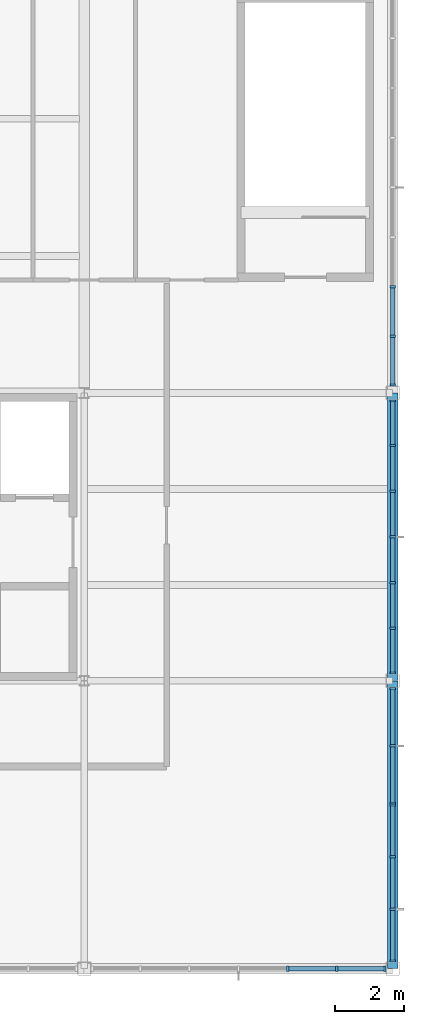
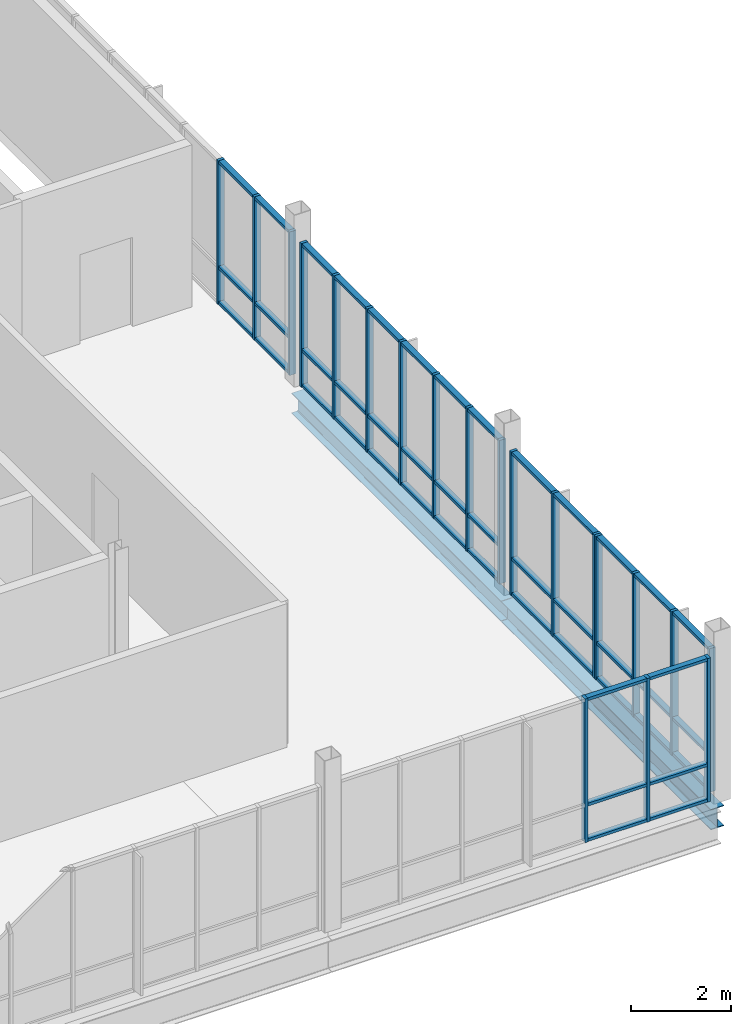
# One storey, part 7 of 15: 65 members, 2 beams, 5 elements without a shape of their own.
"""IFC4 building model written with IfcOpenShell, lengths in metres."""

from ifc_helpers import new_model, si_unit, direction, frame, origin, origin_2d, place, context, subcontext, project, spatial, rectangle, i_section, extrude, material, layer, layer_set, material_profile, profile_set, type_object, element, aggregate, save


model = new_model("IFC4")

# Units and contexts
model_context = context("Model", 3, precision=1e-05, world=origin(), true_north=direction((0.0, 1.0)))
body_context = subcontext(model_context, "Body", "Model", "MODEL_VIEW")
ifc_project = project(units=[si_unit("LENGTHUNIT", "METRE"), si_unit("AREAUNIT", "SQUARE_METRE"), si_unit("VOLUMEUNIT", "CUBIC_METRE"), si_unit("PLANEANGLEUNIT", "RADIAN"), si_unit("MASSUNIT", "GRAM", prefix="KILO")], contexts=[model_context])

# Site, building, storey
site_placement = place(None, origin())
site = spatial("IfcSite", under=ifc_project, at=site_placement, CompositionType="ELEMENT")
building_placement = place(site_placement, origin())
building = spatial("IfcBuilding", under=site, at=building_placement, Name="Yukiwa Park Conservatory and Herbarium", CompositionType="ELEMENT")
storey_placement = place(building_placement, frame((0.0, 0.0, 61.199951171875)))
storey = spatial("IfcBuildingStorey", under=building, at=storey_placement, Name="L16", CompositionType="ELEMENT", Elevation=61.199951171875)

# Beams
ifc_material_1 = material(Name="Steel Q355D", Category="steel")
ifc_material_profile = material_profile(ifc_material_1, i_section(OverallWidth=0.300048828125, OverallDepth=0.5, WebThickness=0.010986328125, FlangeThickness=0.01806640625, FilletRadius=0.02392578125, at=origin_2d()), Name="HM 500x300x11x18")
ifc_profile_set = profile_set([ifc_material_profile], Name="Steel Q355D")
beam_type = type_object("IfcBeamType", Name="BM-SPN-HN500", PredefinedType="SPANDREL", material=ifc_profile_set)
beam_1_placement = place(storey_placement, frame((168.0, 86.406005859375, -0.52001953125), z_axis=(0.0, 1.0, 0.0), x_axis=(-1.0, 0.0, 0.0)))
element("IfcBeam", 1, at=beam_1_placement, inside=storey, type_object=beam_type, Name="L16 spandrel girder Y-29", PredefinedType="SPANDREL", context=body_context, shape_type="SweptSolid", body=[
    extrude(i_section(OverallWidth=0.300048828125, OverallDepth=0.5, WebThickness=0.010986328125, FlangeThickness=0.01806640625, FilletRadius=0.02392578125, at=origin_2d()), origin(), (0.0, 0.0, 1.0), 8.387939453125),
])
beam_2_placement = place(storey_placement, frame((168.0, 94.805908203125, -0.52001953125), z_axis=(0.0, 1.0, 0.0), x_axis=(-1.0, 0.0, 0.0)))
element("IfcBeam", 2, at=beam_2_placement, inside=storey, type_object=beam_type, Name="L16 spandrel girder Y-30", PredefinedType="SPANDREL", context=body_context, shape_type="SweptSolid", body=[
    extrude(i_section(OverallWidth=0.300048828125, OverallDepth=0.5, WebThickness=0.010986328125, FlangeThickness=0.01806640625, FilletRadius=0.02392578125, at=origin_2d()), origin(), (0.0, 0.0, 1.0), 8.38818359375),
])

# Curtain wall, members
ifc_material_2 = material(Name="Triple Low-E Insulated Glass", Category="glass")
ifc_layer = layer(ifc_material_2, 0.2119140625)
ifc_layer_set = layer_set([ifc_layer], Name="Triple Low-E Insulated Glass")
curtain_wall_type = type_object("IfcCurtainWallType", Name="CW-TOWER-SKY-1400", PredefinedType="NOTDEFINED", material=ifc_layer_set)
curtain_wall_1_placement = place(storey_placement, origin())
curtain_wall_1 = element("IfcCurtainWall", 3, at=curtain_wall_1_placement, inside=storey, type_object=curtain_wall_type, Name="L16 unitised curtain wall CW-L16-148", PredefinedType="NOTDEFINED")
ifc_material_3 = material(Name="Anodised Aluminium", Category="aluminium")
member_type_1 = type_object("IfcMemberType", Name="MB-CW-MUL-70X150", PredefinedType="MULLION", material=ifc_material_3)
member_1_placement = place(storey_placement, frame((168.0, 86.635009765625, 0.0), z_axis=(0.0, 0.0, 1.0), x_axis=(0.0, 1.0, 0.0)))
member_1 = element("IfcMember", 4, at=member_1_placement, type_object=member_type_1, Name="CW-L16-148 mullion 1", PredefinedType="MULLION", context=body_context, shape_type="SweptSolid", body=[
    extrude(rectangle(XDim=0.070068359375, YDim=0.14990234375, at=origin_2d()), origin(), (0.0, 0.0, 1.0), 3.510009765625),
])
member_2_placement = place(storey_placement, frame((168.0, 88.13330078125, 0.0), z_axis=(0.0, 0.0, 1.0), x_axis=(0.0, 1.0, 0.0)))
member_2 = element("IfcMember", 5, at=member_2_placement, type_object=member_type_1, Name="CW-L16-148 mullion 2", PredefinedType="MULLION", context=body_context, shape_type="SweptSolid", body=[
    extrude(rectangle(XDim=0.070068359375, YDim=0.14990234375, at=origin_2d()), origin(), (0.0, 0.0, 1.0), 3.510009765625),
])
member_3_placement = place(storey_placement, frame((168.0, 89.666748046875, 0.0), z_axis=(0.0, 0.0, 1.0), x_axis=(0.0, 1.0, 0.0)))
member_3 = element("IfcMember", 6, at=member_3_placement, type_object=member_type_1, Name="CW-L16-148 mullion 3", PredefinedType="MULLION", context=body_context, shape_type="SweptSolid", body=[
    extrude(rectangle(XDim=0.070068359375, YDim=0.14990234375, at=origin_2d()), origin(), (0.0, 0.0, 1.0), 3.510009765625),
])
member_4_placement = place(storey_placement, frame((168.0, 91.1650390625, 0.0), z_axis=(0.0, 0.0, 1.0), x_axis=(0.0, 1.0, 0.0)))
member_4 = element("IfcMember", 7, at=member_4_placement, type_object=member_type_1, Name="CW-L16-148 mullion 4", PredefinedType="MULLION", context=body_context, shape_type="SweptSolid", body=[
    extrude(rectangle(XDim=0.070068359375, YDim=0.14990234375, at=origin_2d()), origin(), (0.0, 0.0, 1.0), 3.510009765625),
])

curtain_wall_2_placement = place(storey_placement, origin())
curtain_wall_2 = element("IfcCurtainWall", 8, at=curtain_wall_2_placement, inside=storey, type_object=curtain_wall_type, Name="L16 unitised curtain wall CW-L16-149", PredefinedType="NOTDEFINED")
member_5_placement = place(storey_placement, frame((168.0, 91.235107421875, 0.0), z_axis=(0.0, 0.0, 1.0), x_axis=(0.0, 1.0, 0.0)))
member_5 = element("IfcMember", 9, at=member_5_placement, type_object=member_type_1, Name="CW-L16-149 mullion 1", PredefinedType="MULLION", context=body_context, shape_type="SweptSolid", body=[
    extrude(rectangle(XDim=0.070068359375, YDim=0.14990234375, at=origin_2d()), origin(), (0.0, 0.0, 1.0), 3.510009765625),
])
member_6_placement = place(storey_placement, frame((168.0, 92.89990234375, 0.0), z_axis=(0.0, 0.0, 1.0), x_axis=(0.0, 1.0, 0.0)))
member_6 = element("IfcMember", 10, at=member_6_placement, type_object=member_type_1, Name="CW-L16-149 mullion 2", PredefinedType="MULLION", context=body_context, shape_type="SweptSolid", body=[
    extrude(rectangle(XDim=0.070068359375, YDim=0.14990234375, at=origin_2d()), origin(), (0.0, 0.0, 1.0), 3.510009765625),
])
member_7_placement = place(storey_placement, frame((168.0, 94.56494140625, 0.0), z_axis=(0.0, 0.0, 1.0), x_axis=(0.0, 1.0, 0.0)))
member_7 = element("IfcMember", 11, at=member_7_placement, type_object=member_type_1, Name="CW-L16-149 mullion 3", PredefinedType="MULLION", context=body_context, shape_type="SweptSolid", body=[
    extrude(rectangle(XDim=0.070068359375, YDim=0.14990234375, at=origin_2d()), origin(), (0.0, 0.0, 1.0), 3.510009765625),
])

curtain_wall_3_placement = place(storey_placement, origin())
curtain_wall_3 = element("IfcCurtainWall", 12, at=curtain_wall_3_placement, inside=storey, type_object=curtain_wall_type, Name="L16 unitised curtain wall CW-L16-150", PredefinedType="NOTDEFINED")
member_8_placement = place(storey_placement, frame((168.0, 95.034912109375, 0.0), z_axis=(0.0, 0.0, 1.0), x_axis=(0.0, 1.0, 0.0)))
member_8 = element("IfcMember", 13, at=member_8_placement, type_object=member_type_1, Name="CW-L16-150 mullion 1", PredefinedType="MULLION", context=body_context, shape_type="SweptSolid", body=[
    extrude(rectangle(XDim=0.070068359375, YDim=0.14990234375, at=origin_2d()), origin(), (0.0, 0.0, 1.0), 3.510009765625),
])
member_9_placement = place(storey_placement, frame((168.0, 96.333251953125, 0.0), z_axis=(0.0, 0.0, 1.0), x_axis=(0.0, 1.0, 0.0)))
member_9 = element("IfcMember", 14, at=member_9_placement, type_object=member_type_1, Name="CW-L16-150 mullion 2", PredefinedType="MULLION", context=body_context, shape_type="SweptSolid", body=[
    extrude(rectangle(XDim=0.070068359375, YDim=0.14990234375, at=origin_2d()), origin(), (0.0, 0.0, 1.0), 3.510009765625),
])
member_10_placement = place(storey_placement, frame((168.0, 97.666748046875, 0.0), z_axis=(0.0, 0.0, 1.0), x_axis=(0.0, 1.0, 0.0)))
member_10 = element("IfcMember", 15, at=member_10_placement, type_object=member_type_1, Name="CW-L16-150 mullion 3", PredefinedType="MULLION", context=body_context, shape_type="SweptSolid", body=[
    extrude(rectangle(XDim=0.070068359375, YDim=0.14990234375, at=origin_2d()), origin(), (0.0, 0.0, 1.0), 3.510009765625),
])
member_11_placement = place(storey_placement, frame((168.0, 99.0, 0.0), z_axis=(0.0, 0.0, 1.0), x_axis=(0.0, 1.0, 0.0)))
member_11 = element("IfcMember", 16, at=member_11_placement, type_object=member_type_1, Name="CW-L16-150 mullion 4", PredefinedType="MULLION", context=body_context, shape_type="SweptSolid", body=[
    extrude(rectangle(XDim=0.070068359375, YDim=0.14990234375, at=origin_2d()), origin(), (0.0, 0.0, 1.0), 3.510009765625),
])
member_12_placement = place(storey_placement, frame((168.0, 100.333251953125, 0.0), z_axis=(0.0, 0.0, 1.0), x_axis=(0.0, 1.0, 0.0)))
member_12 = element("IfcMember", 17, at=member_12_placement, type_object=member_type_1, Name="CW-L16-150 mullion 5", PredefinedType="MULLION", context=body_context, shape_type="SweptSolid", body=[
    extrude(rectangle(XDim=0.070068359375, YDim=0.14990234375, at=origin_2d()), origin(), (0.0, 0.0, 1.0), 3.510009765625),
])
member_13_placement = place(storey_placement, frame((168.0, 101.666748046875, 0.0), z_axis=(0.0, 0.0, 1.0), x_axis=(0.0, 1.0, 0.0)))
member_13 = element("IfcMember", 18, at=member_13_placement, type_object=member_type_1, Name="CW-L16-150 mullion 6", PredefinedType="MULLION", context=body_context, shape_type="SweptSolid", body=[
    extrude(rectangle(XDim=0.070068359375, YDim=0.14990234375, at=origin_2d()), origin(), (0.0, 0.0, 1.0), 3.510009765625),
])
member_14_placement = place(storey_placement, frame((168.0, 102.965087890625, 0.0), z_axis=(0.0, 0.0, 1.0), x_axis=(0.0, 1.0, 0.0)))
member_14 = element("IfcMember", 19, at=member_14_placement, type_object=member_type_1, Name="CW-L16-150 mullion 7", PredefinedType="MULLION", context=body_context, shape_type="SweptSolid", body=[
    extrude(rectangle(XDim=0.070068359375, YDim=0.14990234375, at=origin_2d()), origin(), (0.0, 0.0, 1.0), 3.510009765625),
])

curtain_wall_4_placement = place(storey_placement, origin())
curtain_wall_4 = element("IfcCurtainWall", 20, at=curtain_wall_4_placement, inside=storey, type_object=curtain_wall_type, Name="L16 unitised curtain wall CW-L16-151", PredefinedType="NOTDEFINED")
member_15_placement = place(storey_placement, frame((168.0, 103.43505859375, 0.0), z_axis=(0.0, 0.0, 1.0), x_axis=(0.0, 1.0, 0.0)))
member_15 = element("IfcMember", 21, at=member_15_placement, type_object=member_type_1, Name="CW-L16-151 mullion 1", PredefinedType="MULLION", context=body_context, shape_type="SweptSolid", body=[
    extrude(rectangle(XDim=0.070068359375, YDim=0.14990234375, at=origin_2d()), origin(), (0.0, 0.0, 1.0), 3.510009765625),
])
member_16_placement = place(storey_placement, frame((168.0, 104.85009765625, 0.0), z_axis=(0.0, 0.0, 1.0), x_axis=(0.0, 1.0, 0.0)))
member_16 = element("IfcMember", 22, at=member_16_placement, type_object=member_type_1, Name="CW-L16-151 mullion 2", PredefinedType="MULLION", context=body_context, shape_type="SweptSolid", body=[
    extrude(rectangle(XDim=0.070068359375, YDim=0.14990234375, at=origin_2d()), origin(), (0.0, 0.0, 1.0), 3.510009765625),
])
member_17_placement = place(storey_placement, frame((168.0, 106.300048828125, 0.0), z_axis=(0.0, 0.0, 1.0), x_axis=(0.0, 1.0, 0.0)))
member_17 = element("IfcMember", 23, at=member_17_placement, type_object=member_type_1, Name="CW-L16-151 mullion 3", PredefinedType="MULLION", context=body_context, shape_type="SweptSolid", body=[
    extrude(rectangle(XDim=0.070068359375, YDim=0.14990234375, at=origin_2d()), origin(), (0.0, 0.0, 1.0), 3.510009765625),
])

curtain_wall_5_placement = place(storey_placement, origin())
curtain_wall_5 = element("IfcCurtainWall", 24, at=curtain_wall_5_placement, inside=storey, type_object=curtain_wall_type, Name="L16 unitised curtain wall CW-L16-154", PredefinedType="NOTDEFINED")
member_18_placement = place(storey_placement, frame((164.933349609375, 86.39990234375, 0.0), z_axis=(0.0, 0.0, 1.0), x_axis=(1.0, 0.0, 0.0)))
member_18 = element("IfcMember", 25, at=member_18_placement, type_object=member_type_1, Name="CW-L16-154 mullion 5", PredefinedType="MULLION", context=body_context, shape_type="SweptSolid", body=[
    extrude(rectangle(XDim=0.070068359375, YDim=0.14990234375, at=origin_2d()), origin(), (0.0, 0.0, 1.0), 3.510009765625),
])
member_19_placement = place(storey_placement, frame((166.36669921875, 86.39990234375, 0.0), z_axis=(0.0, 0.0, 1.0), x_axis=(1.0, 0.0, 0.0)))
member_19 = element("IfcMember", 26, at=member_19_placement, type_object=member_type_1, Name="CW-L16-154 mullion 6", PredefinedType="MULLION", context=body_context, shape_type="SweptSolid", body=[
    extrude(rectangle(XDim=0.070068359375, YDim=0.14990234375, at=origin_2d()), origin(), (0.0, 0.0, 1.0), 3.510009765625),
])
member_20_placement = place(storey_placement, frame((167.764892578125, 86.39990234375, 0.0), z_axis=(0.0, 0.0, 1.0), x_axis=(1.0, 0.0, 0.0)))
member_20 = element("IfcMember", 27, at=member_20_placement, type_object=member_type_1, Name="CW-L16-154 mullion 7", PredefinedType="MULLION", context=body_context, shape_type="SweptSolid", body=[
    extrude(rectangle(XDim=0.070068359375, YDim=0.14990234375, at=origin_2d()), origin(), (0.0, 0.0, 1.0), 3.510009765625),
])

# Member
ifc_material_4 = material(Name="Anodised Aluminium", Category="aluminium")
member_type_2 = type_object("IfcMemberType", Name="MB-CW-TRN-70X130", PredefinedType="USERDEFINED", material=ifc_material_4)
member_21_placement = place(storey_placement, frame((168.0, 87.36669921875, 0.0), z_axis=(0.0, 0.0, 1.0), x_axis=(0.0, 1.0, 0.0)))
member_21 = element("IfcMember", 28, at=member_21_placement, type_object=member_type_2, Name="CW-L16-148 transom 1.1", ObjectType="TRANSOM", PredefinedType="USERDEFINED", context=body_context, shape_type="SweptSolid", body=[
    extrude(rectangle(XDim=1.46337890625, YDim=0.1298828125, at=origin_2d()), origin(), (0.0, 0.0, 1.0), 0.070068359375),
])

member_22_placement = place(storey_placement, frame((168.0, 87.36669921875, 0.865234375), z_axis=(0.0, 0.0, 1.0), x_axis=(0.0, 1.0, 0.0)))
member_22 = element("IfcMember", 29, at=member_22_placement, type_object=member_type_2, Name="CW-L16-148 transom 1.2", ObjectType="TRANSOM", PredefinedType="USERDEFINED", context=body_context, shape_type="SweptSolid", body=[
    extrude(rectangle(XDim=1.46337890625, YDim=0.1298828125, at=origin_2d()), origin(), (0.0, 0.0, 1.0), 0.070068359375),
])

member_23_placement = place(storey_placement, frame((168.0, 87.36669921875, 3.43994140625), z_axis=(0.0, 0.0, 1.0), x_axis=(0.0, 1.0, 0.0)))
member_23 = element("IfcMember", 30, at=member_23_placement, type_object=member_type_2, Name="CW-L16-148 transom 1.3", ObjectType="TRANSOM", PredefinedType="USERDEFINED", context=body_context, shape_type="SweptSolid", body=[
    extrude(rectangle(XDim=1.46337890625, YDim=0.1298828125, at=origin_2d()), origin(), (0.0, 0.0, 1.0), 0.070068359375),
])

member_24_placement = place(storey_placement, frame((168.0, 88.89990234375, 0.0), z_axis=(0.0, 0.0, 1.0), x_axis=(0.0, 1.0, 0.0)))
member_24 = element("IfcMember", 31, at=member_24_placement, type_object=member_type_2, Name="CW-L16-148 transom 2.1", ObjectType="TRANSOM", PredefinedType="USERDEFINED", context=body_context, shape_type="SweptSolid", body=[
    extrude(rectangle(XDim=1.46337890625, YDim=0.1298828125, at=origin_2d()), origin(), (0.0, 0.0, 1.0), 0.070068359375),
])

member_25_placement = place(storey_placement, frame((168.0, 88.89990234375, 0.865234375), z_axis=(0.0, 0.0, 1.0), x_axis=(0.0, 1.0, 0.0)))
member_25 = element("IfcMember", 32, at=member_25_placement, type_object=member_type_2, Name="CW-L16-148 transom 2.2", ObjectType="TRANSOM", PredefinedType="USERDEFINED", context=body_context, shape_type="SweptSolid", body=[
    extrude(rectangle(XDim=1.46337890625, YDim=0.1298828125, at=origin_2d()), origin(), (0.0, 0.0, 1.0), 0.070068359375),
])

member_26_placement = place(storey_placement, frame((168.0, 88.89990234375, 3.43994140625), z_axis=(0.0, 0.0, 1.0), x_axis=(0.0, 1.0, 0.0)))
member_26 = element("IfcMember", 33, at=member_26_placement, type_object=member_type_2, Name="CW-L16-148 transom 2.3", ObjectType="TRANSOM", PredefinedType="USERDEFINED", context=body_context, shape_type="SweptSolid", body=[
    extrude(rectangle(XDim=1.46337890625, YDim=0.1298828125, at=origin_2d()), origin(), (0.0, 0.0, 1.0), 0.070068359375),
])

member_27_placement = place(storey_placement, frame((168.0, 90.433349609375, 0.0), z_axis=(0.0, 0.0, 1.0), x_axis=(0.0, 1.0, 0.0)))
member_27 = element("IfcMember", 34, at=member_27_placement, type_object=member_type_2, Name="CW-L16-148 transom 3.1", ObjectType="TRANSOM", PredefinedType="USERDEFINED", context=body_context, shape_type="SweptSolid", body=[
    extrude(rectangle(XDim=1.46337890625, YDim=0.1298828125, at=origin_2d()), origin(), (0.0, 0.0, 1.0), 0.070068359375),
])

member_28_placement = place(storey_placement, frame((168.0, 90.433349609375, 0.865234375), z_axis=(0.0, 0.0, 1.0), x_axis=(0.0, 1.0, 0.0)))
member_28 = element("IfcMember", 35, at=member_28_placement, type_object=member_type_2, Name="CW-L16-148 transom 3.2", ObjectType="TRANSOM", PredefinedType="USERDEFINED", context=body_context, shape_type="SweptSolid", body=[
    extrude(rectangle(XDim=1.46337890625, YDim=0.1298828125, at=origin_2d()), origin(), (0.0, 0.0, 1.0), 0.070068359375),
])

member_29_placement = place(storey_placement, frame((168.0, 90.433349609375, 3.43994140625), z_axis=(0.0, 0.0, 1.0), x_axis=(0.0, 1.0, 0.0)))
member_29 = element("IfcMember", 36, at=member_29_placement, type_object=member_type_2, Name="CW-L16-148 transom 3.3", ObjectType="TRANSOM", PredefinedType="USERDEFINED", context=body_context, shape_type="SweptSolid", body=[
    extrude(rectangle(XDim=1.46337890625, YDim=0.1298828125, at=origin_2d()), origin(), (0.0, 0.0, 1.0), 0.070068359375),
])

aggregate(curtain_wall_1, [member_1, member_2, member_3, member_4, member_21, member_22, member_23, member_24, member_25, member_26, member_27, member_28, member_29])

member_30_placement = place(storey_placement, frame((168.0, 92.050048828125, 0.0), z_axis=(0.0, 0.0, 1.0), x_axis=(0.0, 1.0, 0.0)))
member_30 = element("IfcMember", 37, at=member_30_placement, type_object=member_type_2, Name="CW-L16-149 transom 1.1", ObjectType="TRANSOM", PredefinedType="USERDEFINED", context=body_context, shape_type="SweptSolid", body=[
    extrude(rectangle(XDim=1.6298828125, YDim=0.1298828125, at=origin_2d()), origin(), (0.0, 0.0, 1.0), 0.070068359375),
])

member_31_placement = place(storey_placement, frame((168.0, 92.050048828125, 0.865234375), z_axis=(0.0, 0.0, 1.0), x_axis=(0.0, 1.0, 0.0)))
member_31 = element("IfcMember", 38, at=member_31_placement, type_object=member_type_2, Name="CW-L16-149 transom 1.2", ObjectType="TRANSOM", PredefinedType="USERDEFINED", context=body_context, shape_type="SweptSolid", body=[
    extrude(rectangle(XDim=1.6298828125, YDim=0.1298828125, at=origin_2d()), origin(), (0.0, 0.0, 1.0), 0.070068359375),
])

member_32_placement = place(storey_placement, frame((168.0, 92.050048828125, 3.43994140625), z_axis=(0.0, 0.0, 1.0), x_axis=(0.0, 1.0, 0.0)))
member_32 = element("IfcMember", 39, at=member_32_placement, type_object=member_type_2, Name="CW-L16-149 transom 1.3", ObjectType="TRANSOM", PredefinedType="USERDEFINED", context=body_context, shape_type="SweptSolid", body=[
    extrude(rectangle(XDim=1.6298828125, YDim=0.1298828125, at=origin_2d()), origin(), (0.0, 0.0, 1.0), 0.070068359375),
])

member_33_placement = place(storey_placement, frame((168.0, 93.75, 0.0), z_axis=(0.0, 0.0, 1.0), x_axis=(0.0, 1.0, 0.0)))
member_33 = element("IfcMember", 40, at=member_33_placement, type_object=member_type_2, Name="CW-L16-149 transom 2.1", ObjectType="TRANSOM", PredefinedType="USERDEFINED", context=body_context, shape_type="SweptSolid", body=[
    extrude(rectangle(XDim=1.6298828125, YDim=0.1298828125, at=origin_2d()), origin(), (0.0, 0.0, 1.0), 0.070068359375),
])

member_34_placement = place(storey_placement, frame((168.0, 93.75, 0.865234375), z_axis=(0.0, 0.0, 1.0), x_axis=(0.0, 1.0, 0.0)))
member_34 = element("IfcMember", 41, at=member_34_placement, type_object=member_type_2, Name="CW-L16-149 transom 2.2", ObjectType="TRANSOM", PredefinedType="USERDEFINED", context=body_context, shape_type="SweptSolid", body=[
    extrude(rectangle(XDim=1.6298828125, YDim=0.1298828125, at=origin_2d()), origin(), (0.0, 0.0, 1.0), 0.070068359375),
])

member_35_placement = place(storey_placement, frame((168.0, 93.75, 3.43994140625), z_axis=(0.0, 0.0, 1.0), x_axis=(0.0, 1.0, 0.0)))
member_35 = element("IfcMember", 42, at=member_35_placement, type_object=member_type_2, Name="CW-L16-149 transom 2.3", ObjectType="TRANSOM", PredefinedType="USERDEFINED", context=body_context, shape_type="SweptSolid", body=[
    extrude(rectangle(XDim=1.6298828125, YDim=0.1298828125, at=origin_2d()), origin(), (0.0, 0.0, 1.0), 0.070068359375),
])

aggregate(curtain_wall_2, [member_5, member_6, member_7, member_30, member_31, member_32, member_33, member_34, member_35])

member_36_placement = place(storey_placement, frame((168.0, 95.666748046875, 0.0), z_axis=(0.0, 0.0, 1.0), x_axis=(0.0, 1.0, 0.0)))
member_36 = element("IfcMember", 43, at=member_36_placement, type_object=member_type_2, Name="CW-L16-150 transom 1.1", ObjectType="TRANSOM", PredefinedType="USERDEFINED", context=body_context, shape_type="SweptSolid", body=[
    extrude(rectangle(XDim=1.26318359375, YDim=0.1298828125, at=origin_2d()), origin(), (0.0, 0.0, 1.0), 0.070068359375),
])

member_37_placement = place(storey_placement, frame((168.0, 95.666748046875, 0.865234375), z_axis=(0.0, 0.0, 1.0), x_axis=(0.0, 1.0, 0.0)))
member_37 = element("IfcMember", 44, at=member_37_placement, type_object=member_type_2, Name="CW-L16-150 transom 1.2", ObjectType="TRANSOM", PredefinedType="USERDEFINED", context=body_context, shape_type="SweptSolid", body=[
    extrude(rectangle(XDim=1.26318359375, YDim=0.1298828125, at=origin_2d()), origin(), (0.0, 0.0, 1.0), 0.070068359375),
])

member_38_placement = place(storey_placement, frame((168.0, 95.666748046875, 3.43994140625), z_axis=(0.0, 0.0, 1.0), x_axis=(0.0, 1.0, 0.0)))
member_38 = element("IfcMember", 45, at=member_38_placement, type_object=member_type_2, Name="CW-L16-150 transom 1.3", ObjectType="TRANSOM", PredefinedType="USERDEFINED", context=body_context, shape_type="SweptSolid", body=[
    extrude(rectangle(XDim=1.26318359375, YDim=0.1298828125, at=origin_2d()), origin(), (0.0, 0.0, 1.0), 0.070068359375),
])

member_39_placement = place(storey_placement, frame((168.0, 97.0, 0.0), z_axis=(0.0, 0.0, 1.0), x_axis=(0.0, 1.0, 0.0)))
member_39 = element("IfcMember", 46, at=member_39_placement, type_object=member_type_2, Name="CW-L16-150 transom 2.1", ObjectType="TRANSOM", PredefinedType="USERDEFINED", context=body_context, shape_type="SweptSolid", body=[
    extrude(rectangle(XDim=1.26318359375, YDim=0.1298828125, at=origin_2d()), origin(), (0.0, 0.0, 1.0), 0.070068359375),
])

member_40_placement = place(storey_placement, frame((168.0, 97.0, 0.865234375), z_axis=(0.0, 0.0, 1.0), x_axis=(0.0, 1.0, 0.0)))
member_40 = element("IfcMember", 47, at=member_40_placement, type_object=member_type_2, Name="CW-L16-150 transom 2.2", ObjectType="TRANSOM", PredefinedType="USERDEFINED", context=body_context, shape_type="SweptSolid", body=[
    extrude(rectangle(XDim=1.26318359375, YDim=0.1298828125, at=origin_2d()), origin(), (0.0, 0.0, 1.0), 0.070068359375),
])

member_41_placement = place(storey_placement, frame((168.0, 97.0, 3.43994140625), z_axis=(0.0, 0.0, 1.0), x_axis=(0.0, 1.0, 0.0)))
member_41 = element("IfcMember", 48, at=member_41_placement, type_object=member_type_2, Name="CW-L16-150 transom 2.3", ObjectType="TRANSOM", PredefinedType="USERDEFINED", context=body_context, shape_type="SweptSolid", body=[
    extrude(rectangle(XDim=1.26318359375, YDim=0.1298828125, at=origin_2d()), origin(), (0.0, 0.0, 1.0), 0.070068359375),
])

member_42_placement = place(storey_placement, frame((168.0, 98.333251953125, 0.0), z_axis=(0.0, 0.0, 1.0), x_axis=(0.0, 1.0, 0.0)))
member_42 = element("IfcMember", 49, at=member_42_placement, type_object=member_type_2, Name="CW-L16-150 transom 3.1", ObjectType="TRANSOM", PredefinedType="USERDEFINED", context=body_context, shape_type="SweptSolid", body=[
    extrude(rectangle(XDim=1.26318359375, YDim=0.1298828125, at=origin_2d()), origin(), (0.0, 0.0, 1.0), 0.070068359375),
])

member_43_placement = place(storey_placement, frame((168.0, 98.333251953125, 0.865234375), z_axis=(0.0, 0.0, 1.0), x_axis=(0.0, 1.0, 0.0)))
member_43 = element("IfcMember", 50, at=member_43_placement, type_object=member_type_2, Name="CW-L16-150 transom 3.2", ObjectType="TRANSOM", PredefinedType="USERDEFINED", context=body_context, shape_type="SweptSolid", body=[
    extrude(rectangle(XDim=1.26318359375, YDim=0.1298828125, at=origin_2d()), origin(), (0.0, 0.0, 1.0), 0.070068359375),
])

member_44_placement = place(storey_placement, frame((168.0, 98.333251953125, 3.43994140625), z_axis=(0.0, 0.0, 1.0), x_axis=(0.0, 1.0, 0.0)))
member_44 = element("IfcMember", 51, at=member_44_placement, type_object=member_type_2, Name="CW-L16-150 transom 3.3", ObjectType="TRANSOM", PredefinedType="USERDEFINED", context=body_context, shape_type="SweptSolid", body=[
    extrude(rectangle(XDim=1.26318359375, YDim=0.1298828125, at=origin_2d()), origin(), (0.0, 0.0, 1.0), 0.070068359375),
])

member_45_placement = place(storey_placement, frame((168.0, 99.666748046875, 0.0), z_axis=(0.0, 0.0, 1.0), x_axis=(0.0, 1.0, 0.0)))
member_45 = element("IfcMember", 52, at=member_45_placement, type_object=member_type_2, Name="CW-L16-150 transom 4.1", ObjectType="TRANSOM", PredefinedType="USERDEFINED", context=body_context, shape_type="SweptSolid", body=[
    extrude(rectangle(XDim=1.26318359375, YDim=0.1298828125, at=origin_2d()), origin(), (0.0, 0.0, 1.0), 0.070068359375),
])

member_46_placement = place(storey_placement, frame((168.0, 99.666748046875, 0.865234375), z_axis=(0.0, 0.0, 1.0), x_axis=(0.0, 1.0, 0.0)))
member_46 = element("IfcMember", 53, at=member_46_placement, type_object=member_type_2, Name="CW-L16-150 transom 4.2", ObjectType="TRANSOM", PredefinedType="USERDEFINED", context=body_context, shape_type="SweptSolid", body=[
    extrude(rectangle(XDim=1.26318359375, YDim=0.1298828125, at=origin_2d()), origin(), (0.0, 0.0, 1.0), 0.070068359375),
])

member_47_placement = place(storey_placement, frame((168.0, 99.666748046875, 3.43994140625), z_axis=(0.0, 0.0, 1.0), x_axis=(0.0, 1.0, 0.0)))
member_47 = element("IfcMember", 54, at=member_47_placement, type_object=member_type_2, Name="CW-L16-150 transom 4.3", ObjectType="TRANSOM", PredefinedType="USERDEFINED", context=body_context, shape_type="SweptSolid", body=[
    extrude(rectangle(XDim=1.26318359375, YDim=0.1298828125, at=origin_2d()), origin(), (0.0, 0.0, 1.0), 0.070068359375),
])

member_48_placement = place(storey_placement, frame((168.0, 101.0, 0.0), z_axis=(0.0, 0.0, 1.0), x_axis=(0.0, 1.0, 0.0)))
member_48 = element("IfcMember", 55, at=member_48_placement, type_object=member_type_2, Name="CW-L16-150 transom 5.1", ObjectType="TRANSOM", PredefinedType="USERDEFINED", context=body_context, shape_type="SweptSolid", body=[
    extrude(rectangle(XDim=1.26318359375, YDim=0.1298828125, at=origin_2d()), origin(), (0.0, 0.0, 1.0), 0.070068359375),
])

member_49_placement = place(storey_placement, frame((168.0, 101.0, 0.865234375), z_axis=(0.0, 0.0, 1.0), x_axis=(0.0, 1.0, 0.0)))
member_49 = element("IfcMember", 56, at=member_49_placement, type_object=member_type_2, Name="CW-L16-150 transom 5.2", ObjectType="TRANSOM", PredefinedType="USERDEFINED", context=body_context, shape_type="SweptSolid", body=[
    extrude(rectangle(XDim=1.26318359375, YDim=0.1298828125, at=origin_2d()), origin(), (0.0, 0.0, 1.0), 0.070068359375),
])

member_50_placement = place(storey_placement, frame((168.0, 101.0, 3.43994140625), z_axis=(0.0, 0.0, 1.0), x_axis=(0.0, 1.0, 0.0)))
member_50 = element("IfcMember", 57, at=member_50_placement, type_object=member_type_2, Name="CW-L16-150 transom 5.3", ObjectType="TRANSOM", PredefinedType="USERDEFINED", context=body_context, shape_type="SweptSolid", body=[
    extrude(rectangle(XDim=1.26318359375, YDim=0.1298828125, at=origin_2d()), origin(), (0.0, 0.0, 1.0), 0.070068359375),
])

member_51_placement = place(storey_placement, frame((168.0, 102.333251953125, 0.0), z_axis=(0.0, 0.0, 1.0), x_axis=(0.0, 1.0, 0.0)))
member_51 = element("IfcMember", 58, at=member_51_placement, type_object=member_type_2, Name="CW-L16-150 transom 6.1", ObjectType="TRANSOM", PredefinedType="USERDEFINED", context=body_context, shape_type="SweptSolid", body=[
    extrude(rectangle(XDim=1.26318359375, YDim=0.1298828125, at=origin_2d()), origin(), (0.0, 0.0, 1.0), 0.070068359375),
])

member_52_placement = place(storey_placement, frame((168.0, 102.333251953125, 0.865234375), z_axis=(0.0, 0.0, 1.0), x_axis=(0.0, 1.0, 0.0)))
member_52 = element("IfcMember", 59, at=member_52_placement, type_object=member_type_2, Name="CW-L16-150 transom 6.2", ObjectType="TRANSOM", PredefinedType="USERDEFINED", context=body_context, shape_type="SweptSolid", body=[
    extrude(rectangle(XDim=1.26318359375, YDim=0.1298828125, at=origin_2d()), origin(), (0.0, 0.0, 1.0), 0.070068359375),
])

member_53_placement = place(storey_placement, frame((168.0, 102.333251953125, 3.43994140625), z_axis=(0.0, 0.0, 1.0), x_axis=(0.0, 1.0, 0.0)))
member_53 = element("IfcMember", 60, at=member_53_placement, type_object=member_type_2, Name="CW-L16-150 transom 6.3", ObjectType="TRANSOM", PredefinedType="USERDEFINED", context=body_context, shape_type="SweptSolid", body=[
    extrude(rectangle(XDim=1.26318359375, YDim=0.1298828125, at=origin_2d()), origin(), (0.0, 0.0, 1.0), 0.070068359375),
])

aggregate(curtain_wall_3, [member_8, member_9, member_10, member_11, member_12, member_13, member_14, member_36, member_37, member_38, member_39, member_40, member_41, member_42, member_43, member_44, member_45, member_46, member_47, member_48, member_49, member_50, member_51, member_52, member_53])

member_54_placement = place(storey_placement, frame((168.0, 104.125, 0.0), z_axis=(0.0, 0.0, 1.0), x_axis=(0.0, 1.0, 0.0)))
member_54 = element("IfcMember", 61, at=member_54_placement, type_object=member_type_2, Name="CW-L16-151 transom 1.1", ObjectType="TRANSOM", PredefinedType="USERDEFINED", context=body_context, shape_type="SweptSolid", body=[
    extrude(rectangle(XDim=1.3798828125, YDim=0.1298828125, at=origin_2d()), origin(), (0.0, 0.0, 1.0), 0.070068359375),
])

member_55_placement = place(storey_placement, frame((168.0, 104.125, 0.865234375), z_axis=(0.0, 0.0, 1.0), x_axis=(0.0, 1.0, 0.0)))
member_55 = element("IfcMember", 62, at=member_55_placement, type_object=member_type_2, Name="CW-L16-151 transom 1.2", ObjectType="TRANSOM", PredefinedType="USERDEFINED", context=body_context, shape_type="SweptSolid", body=[
    extrude(rectangle(XDim=1.3798828125, YDim=0.1298828125, at=origin_2d()), origin(), (0.0, 0.0, 1.0), 0.070068359375),
])

member_56_placement = place(storey_placement, frame((168.0, 104.125, 3.43994140625), z_axis=(0.0, 0.0, 1.0), x_axis=(0.0, 1.0, 0.0)))
member_56 = element("IfcMember", 63, at=member_56_placement, type_object=member_type_2, Name="CW-L16-151 transom 1.3", ObjectType="TRANSOM", PredefinedType="USERDEFINED", context=body_context, shape_type="SweptSolid", body=[
    extrude(rectangle(XDim=1.3798828125, YDim=0.1298828125, at=origin_2d()), origin(), (0.0, 0.0, 1.0), 0.070068359375),
])

member_57_placement = place(storey_placement, frame((168.0, 105.574951171875, 0.0), z_axis=(0.0, 0.0, 1.0), x_axis=(0.0, 1.0, 0.0)))
member_57 = element("IfcMember", 64, at=member_57_placement, type_object=member_type_2, Name="CW-L16-151 transom 2.1", ObjectType="TRANSOM", PredefinedType="USERDEFINED", context=body_context, shape_type="SweptSolid", body=[
    extrude(rectangle(XDim=1.3798828125, YDim=0.1298828125, at=origin_2d()), origin(), (0.0, 0.0, 1.0), 0.070068359375),
])

member_58_placement = place(storey_placement, frame((168.0, 105.574951171875, 0.865234375), z_axis=(0.0, 0.0, 1.0), x_axis=(0.0, 1.0, 0.0)))
member_58 = element("IfcMember", 65, at=member_58_placement, type_object=member_type_2, Name="CW-L16-151 transom 2.2", ObjectType="TRANSOM", PredefinedType="USERDEFINED", context=body_context, shape_type="SweptSolid", body=[
    extrude(rectangle(XDim=1.3798828125, YDim=0.1298828125, at=origin_2d()), origin(), (0.0, 0.0, 1.0), 0.070068359375),
])

member_59_placement = place(storey_placement, frame((168.0, 105.574951171875, 3.43994140625), z_axis=(0.0, 0.0, 1.0), x_axis=(0.0, 1.0, 0.0)))
member_59 = element("IfcMember", 66, at=member_59_placement, type_object=member_type_2, Name="CW-L16-151 transom 2.3", ObjectType="TRANSOM", PredefinedType="USERDEFINED", context=body_context, shape_type="SweptSolid", body=[
    extrude(rectangle(XDim=1.3798828125, YDim=0.1298828125, at=origin_2d()), origin(), (0.0, 0.0, 1.0), 0.070068359375),
])

aggregate(curtain_wall_4, [member_15, member_16, member_17, member_54, member_55, member_56, member_57, member_58, member_59])

member_60_placement = place(storey_placement, frame((165.64990234375, 86.39990234375, 0.0), z_axis=(0.0, 0.0, 1.0), x_axis=(1.0, 0.0, 0.0)))
member_60 = element("IfcMember", 67, at=member_60_placement, type_object=member_type_2, Name="CW-L16-154 transom 5.1", ObjectType="TRANSOM", PredefinedType="USERDEFINED", context=body_context, shape_type="SweptSolid", body=[
    extrude(rectangle(XDim=1.36328125, YDim=0.1298828125, at=origin_2d()), origin(), (0.0, 0.0, 1.0), 0.070068359375),
])

member_61_placement = place(storey_placement, frame((165.64990234375, 86.39990234375, 0.865234375), z_axis=(0.0, 0.0, 1.0), x_axis=(1.0, 0.0, 0.0)))
member_61 = element("IfcMember", 68, at=member_61_placement, type_object=member_type_2, Name="CW-L16-154 transom 5.2", ObjectType="TRANSOM", PredefinedType="USERDEFINED", context=body_context, shape_type="SweptSolid", body=[
    extrude(rectangle(XDim=1.36328125, YDim=0.1298828125, at=origin_2d()), origin(), (0.0, 0.0, 1.0), 0.070068359375),
])

member_62_placement = place(storey_placement, frame((165.64990234375, 86.39990234375, 3.43994140625), z_axis=(0.0, 0.0, 1.0), x_axis=(1.0, 0.0, 0.0)))
member_62 = element("IfcMember", 69, at=member_62_placement, type_object=member_type_2, Name="CW-L16-154 transom 5.3", ObjectType="TRANSOM", PredefinedType="USERDEFINED", context=body_context, shape_type="SweptSolid", body=[
    extrude(rectangle(XDim=1.36328125, YDim=0.1298828125, at=origin_2d()), origin(), (0.0, 0.0, 1.0), 0.070068359375),
])

member_63_placement = place(storey_placement, frame((167.083251953125, 86.39990234375, 0.0), z_axis=(0.0, 0.0, 1.0), x_axis=(1.0, 0.0, 0.0)))
member_63 = element("IfcMember", 70, at=member_63_placement, type_object=member_type_2, Name="CW-L16-154 transom 6.1", ObjectType="TRANSOM", PredefinedType="USERDEFINED", context=body_context, shape_type="SweptSolid", body=[
    extrude(rectangle(XDim=1.36328125, YDim=0.1298828125, at=origin_2d()), origin(), (0.0, 0.0, 1.0), 0.070068359375),
])

member_64_placement = place(storey_placement, frame((167.083251953125, 86.39990234375, 0.865234375), z_axis=(0.0, 0.0, 1.0), x_axis=(1.0, 0.0, 0.0)))
member_64 = element("IfcMember", 71, at=member_64_placement, type_object=member_type_2, Name="CW-L16-154 transom 6.2", ObjectType="TRANSOM", PredefinedType="USERDEFINED", context=body_context, shape_type="SweptSolid", body=[
    extrude(rectangle(XDim=1.36328125, YDim=0.1298828125, at=origin_2d()), origin(), (0.0, 0.0, 1.0), 0.070068359375),
])

member_65_placement = place(storey_placement, frame((167.083251953125, 86.39990234375, 3.43994140625), z_axis=(0.0, 0.0, 1.0), x_axis=(1.0, 0.0, 0.0)))
member_65 = element("IfcMember", 72, at=member_65_placement, type_object=member_type_2, Name="CW-L16-154 transom 6.3", ObjectType="TRANSOM", PredefinedType="USERDEFINED", context=body_context, shape_type="SweptSolid", body=[
    extrude(rectangle(XDim=1.36328125, YDim=0.1298828125, at=origin_2d()), origin(), (0.0, 0.0, 1.0), 0.070068359375),
])

aggregate(curtain_wall_5, [member_18, member_19, member_20, member_60, member_61, member_62, member_63, member_64, member_65])

save(model, "model.ifc")
